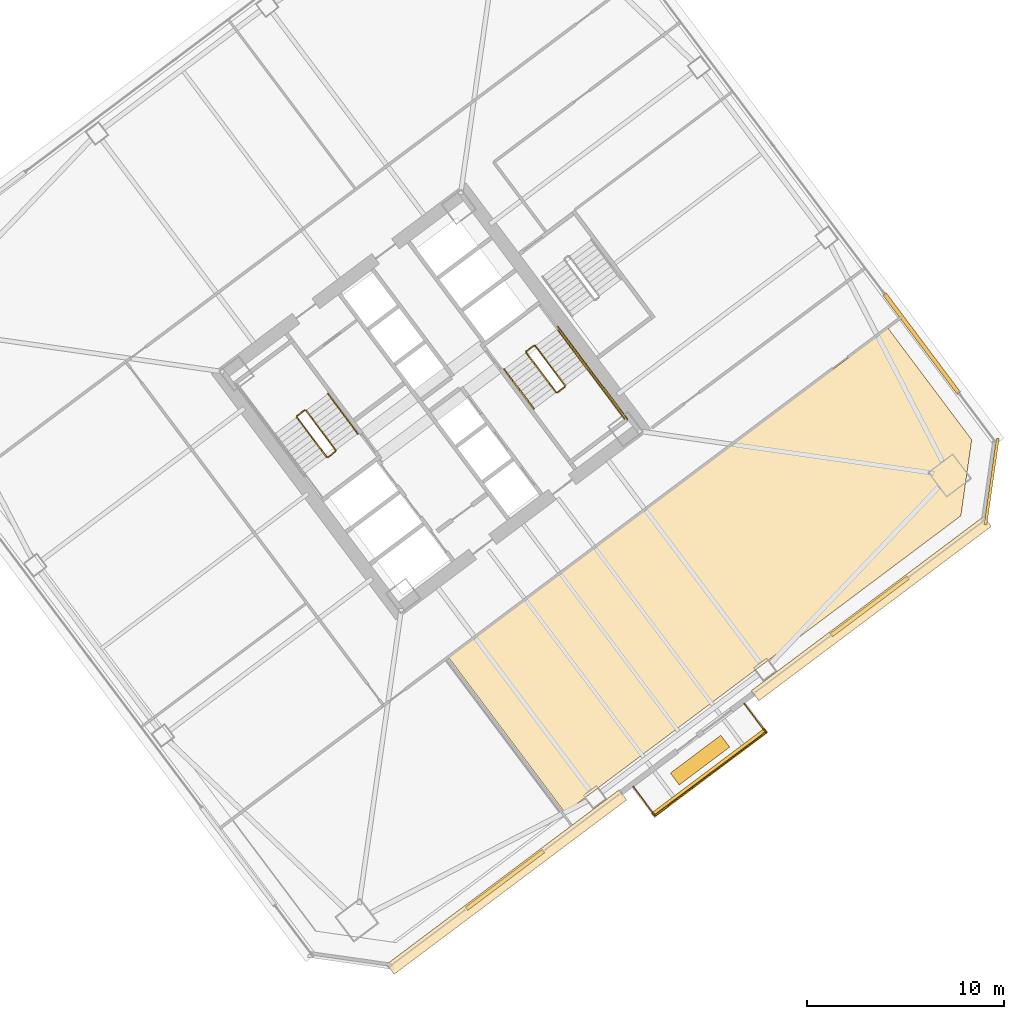
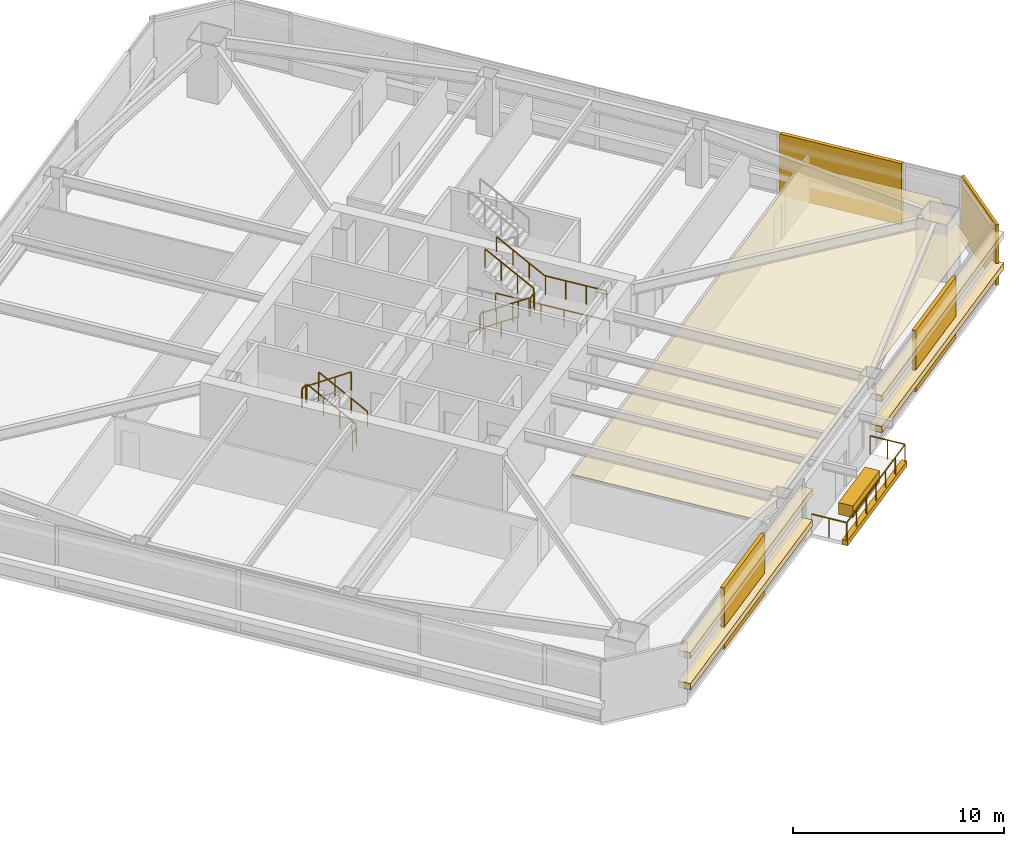
# One storey, part 49 of 51: 16 railings, 11 coverings.
"""IFC4 building model written with IfcOpenShell, lengths in metres."""

from ifc_helpers import new_model, si_unit, direction, frame, origin, origin_2d, place, context, subcontext, project, spatial, polyline, rectangle, outline, extrude, material, layer, layer_set, type_object, element, save


model = new_model("IFC4")

# Units and contexts
model_context = context("Model", 3, precision=1e-05, world=origin(), true_north=direction((0.0, 1.0)))
body_context = subcontext(model_context, "Body", "Model", "MODEL_VIEW")
ifc_project = project(units=[si_unit("LENGTHUNIT", "METRE"), si_unit("AREAUNIT", "SQUARE_METRE"), si_unit("VOLUMEUNIT", "CUBIC_METRE"), si_unit("PLANEANGLEUNIT", "RADIAN"), si_unit("MASSUNIT", "GRAM", prefix="KILO")], contexts=[model_context])

# Site, building, storey
site_placement = place(None, origin())
site = spatial("IfcSite", under=ifc_project, at=site_placement, CompositionType="ELEMENT")
building_placement = place(site_placement, origin())
building = spatial("IfcBuilding", under=site, at=building_placement, Name="Tashvorn Skyway Center", CompositionType="ELEMENT")
storey_placement = place(building_placement, frame((0.0, 0.0, 49.449951171875)))
storey = spatial("IfcBuildingStorey", under=building, at=storey_placement, Name="L12", CompositionType="ELEMENT", Elevation=49.449951171875)

# Coverings
ifc_material_1 = material(Name="Precast concrete C40/50", Category="concrete")
ifc_layer_1 = layer(ifc_material_1, 0.199951171875)
ifc_layer_set_1 = layer_set([ifc_layer_1], Name="Precast concrete C40/50")
covering_type_1 = type_object("IfcCoveringType", Name="COV-BRACE-CLAD", PredefinedType="CLADDING", material=ifc_layer_set_1)
for number, where, z_axis, x_axis, name in (
    (1, (136.260009765625, 21.594970703125, 0.0), (0.0, 0.0, 1.0), (-0.799999996291, -0.600000004945, 0.0), "Tower 2 L12 South Curtain Wall L Mega-Brace Cladding Band 1"),
    (2, (117.756103515625, 7.717041015625, 0.0), (0.0, 0.0, 1.0), (-0.799999996291, -0.600000004945, 0.0), "Tower 2 L12 South Curtain Wall R Mega-Brace Cladding Band 1"),
):
    element("IfcCovering", number, at=place(storey_placement, frame(where, z_axis=z_axis, x_axis=x_axis)), inside=storey, type_object=covering_type_1, Name=name, PredefinedType="CLADDING", context=body_context, shape_type="SweptSolid", body=[
        extrude(rectangle(XDim=4.876708984375, YDim=0.199951171875, at=origin_2d()), origin(), (0.0, 0.0, 1.0), 3.550048828125),
    ])
covering_1_placement = place(storey_placement, frame((138.89599609375, 34.938720703125, 0.0), z_axis=(0.0, 0.0, 1.0), x_axis=(0.600000004945, -0.799999996291, 0.0)))
element("IfcCovering", 3, at=covering_1_placement, inside=storey, type_object=covering_type_1, Name="Tower 2 L12 East Unitised Curtain Wall Mega-Brace Cladding Band 2", PredefinedType="CLADDING", context=body_context, shape_type="SweptSolid", body=[
    extrude(rectangle(XDim=6.29345703125, YDim=0.199951171875, at=origin_2d()), origin(), (0.0, 0.0, 1.0), 3.550048828125),
])
ifc_material_2 = material(Name="Mineral-fibre acoustic ceiling tile on suspended grid")
ifc_layer_2 = layer(ifc_material_2, 0.02001953125)
ifc_layer_set_2 = layer_set([ifc_layer_2], Name="Mineral-fibre acoustic ceiling tile on suspended grid")
covering_type_2 = type_object("IfcCoveringType", Name="COV-CEIL-20", PredefinedType="CEILING", material=ifc_layer_set_2)
covering_2_placement = place(storey_placement, frame((0.0, 0.0, 2.68310546875)))
element("IfcCovering", 4, at=covering_2_placement, inside=storey, type_object=covering_type_2, Name="Tower 2 L12 Security Control Room Acoustic Ceiling", PredefinedType="CEILING", context=body_context, shape_type="SweptSolid", body=[
    extrude(outline(polyline([(120.803955078125, 11.1279296875), (114.89990234375, 19.0), (137.18798828125, 35.716064453125), (141.43603515625, 30.052001953125), (140.884033203125, 26.18798828125), (120.803955078125, 11.1279296875)])), origin(), (0.0, 0.0, 1.0), 0.02001953125),
])
ifc_material_3 = material(Name="Perforated ceramic-coated bronze aluminium solar screen", Category="aluminium")
ifc_layer_3 = layer(ifc_material_3, 0.85009765625)
ifc_layer_set_3 = layer_set([ifc_layer_3], Name="Perforated ceramic-coated bronze aluminium solar screen")
covering_type_3 = type_object("IfcCoveringType", Name="COV-SOLAR-BAND", PredefinedType="CLADDING", material=ifc_layer_set_3)
for number, where, z_axis, x_axis, name in (
    (5, (136.343994140625, 21.48291015625, 0.919921875), (0.0, 0.0, 1.0), (-0.799999996291, -0.600000004945, 0.0), "L12 Perforated Ceramic-Metal Solar Screen Louvre Band South 1"),
    (6, (136.343994140625, 21.48291015625, 2.72021484375), (0.0, 0.0, 1.0), (-0.799999996291, -0.600000004945, 0.0), "L12 Perforated Ceramic-Metal Solar Screen Louvre Band South 2"),
    (7, (117.840087890625, 7.60498046875, 0.919921875), (0.0, 0.0, 1.0), (-0.799999996291, -0.600000004945, 0.0), "L12 Perforated Ceramic-Metal Solar Screen Louvre Band South 1"),
    (8, (117.840087890625, 7.60498046875, 2.72021484375), (0.0, 0.0, 1.0), (-0.799999996291, -0.600000004945, 0.0), "L12 Perforated Ceramic-Metal Solar Screen Louvre Band South 2"),
):
    element("IfcCovering", number, at=place(storey_placement, frame(where, z_axis=z_axis, x_axis=x_axis)), inside=storey, type_object=covering_type_3, Name=name, PredefinedType="CLADDING", context=body_context, shape_type="SweptSolid", body=[
        extrude(rectangle(XDim=14.75, YDim=0.639892578125, at=origin_2d()), origin(), (0.0, 0.0, 1.0), 0.360107421875),
    ])
ifc_layer_4 = layer(ifc_material_1, 0.35009765625)
ifc_layer_set_4 = layer_set([ifc_layer_4], Name="Precast concrete C40/50")
covering_type_4 = type_object("IfcCoveringType", Name="COV-STONE-TRIM", PredefinedType="CLADDING", material=ifc_layer_set_4)
covering_3_placement = place(storey_placement, frame((128.135986328125, 13.152099609375, -0.16015625), z_axis=(0.0, 0.0, 1.0), x_axis=(-0.799999996291, -0.600000004945, 0.0)))
element("IfcCovering", 9, at=covering_3_placement, inside=storey, type_object=covering_type_4, Name="Tower 2 L12 Spiral Terrace Terracotta Fascia", PredefinedType="CLADDING", context=body_context, shape_type="SweptSolid", body=[
    extrude(rectangle(XDim=7.199951171875, YDim=0.280029296875, at=origin_2d()), origin(), (0.0, 0.0, 1.0), 0.280029296875),
])
covering_4_placement = place(storey_placement, frame((127.64990234375, 13.800048828125, 0.0), z_axis=(0.0, 0.0, 1.0), x_axis=(-0.799999996291, -0.600000004945, 0.0)))
element("IfcCovering", 10, at=covering_4_placement, inside=storey, type_object=covering_type_4, Name="Tower 2 L12 Spiral Terrace Planter", PredefinedType="CLADDING", context=body_context, shape_type="SweptSolid", body=[
    extrude(rectangle(XDim=3.199951171875, YDim=0.75, at=origin_2d()), origin(), (0.0, 0.0, 1.0), 0.679931640625),
])
covering_5_placement = place(storey_placement, frame((142.447998046875, 27.93603515625, 0.02001953125), z_axis=(0.0, 0.0, 1.0), x_axis=(0.141421350118, 0.989949494535, 0.0)))
element("IfcCovering", 11, at=covering_5_placement, inside=storey, type_object=covering_type_4, Name="Tower 2 L12 SE Mojave Limestone Corner Quoin", PredefinedType="CLADDING", context=body_context, shape_type="SweptSolid", body=[
    extrude(rectangle(XDim=4.402587890625, YDim=0.139892578125, at=origin_2d()), origin(), (0.0, 0.0, 1.0), 3.510009765625),
])

# Railings
ifc_material_4 = material(Name="Galvanized steel S355", Category="steel")
railing_type_1 = type_object("IfcRailingType", Name="RAIL-GUARD-1120", PredefinedType="GUARDRAIL", material=ifc_material_4)
railing_1_placement = place(storey_placement, frame((124.263916015625, 12.447998046875, 0.0)))
element("IfcRailing", 12, at=railing_1_placement, inside=storey, type_object=railing_type_1, Name="L12 Tower 2 Terrace Guardrail 01", PredefinedType="GUARDRAIL", context=body_context, shape_type="SweptSolid", body=[
    extrude(rectangle(XDim=0.048095703125, YDim=0.048095703125, at=origin_2d()), frame((0.0, 0.0, 1.09619140625), z_axis=(0.6, -0.8, 0.0), x_axis=(0.8, 0.6, 0.0)), (0.0, 0.0, 1.0), 1.820068359375),
    extrude(rectangle(XDim=0.0419921875, YDim=0.0419921875, at=origin_2d()), origin(), (0.0, 0.0, 1.0), 1.072021484375),
    extrude(rectangle(XDim=0.0419921875, YDim=0.0419921875, at=origin_2d()), frame((0.5458984375, -0.72802734375, 0.0)), (0.0, 0.0, 1.0), 1.072021484375),
    extrude(rectangle(XDim=0.0419921875, YDim=0.0419921875, at=origin_2d()), frame((1.092041015625, -1.4560546875, 0.0)), (0.0, 0.0, 1.0), 1.072021484375),
])
railing_2_placement = place(storey_placement, frame((125.35595703125, 10.991943359375, 0.0)))
element("IfcRailing", 13, at=railing_2_placement, inside=storey, type_object=railing_type_1, Name="L12 Tower 2 Terrace Guardrail 02", PredefinedType="GUARDRAIL", context=body_context, shape_type="SweptSolid", body=[
    extrude(rectangle(XDim=0.048095703125, YDim=0.048095703125, at=origin_2d()), frame((0.0, 0.0, 1.09619140625), z_axis=(0.799995838574, 0.600005548528, 0.0), x_axis=(-0.600005548528, 0.799995838574, 0.0)), (0.0, 0.0, 1.0), 7.0400390625),
    extrude(rectangle(XDim=0.0419921875, YDim=0.0419921875, at=origin_2d()), origin(), (0.0, 0.0, 1.0), 1.072021484375),
    extrude(rectangle(XDim=0.0419921875, YDim=0.0419921875, at=origin_2d()), frame((0.938720703125, 0.7041015625, 0.0)), (0.0, 0.0, 1.0), 1.072021484375),
    extrude(rectangle(XDim=0.0419921875, YDim=0.0419921875, at=origin_2d()), frame((1.87744140625, 1.407958984375, 0.0)), (0.0, 0.0, 1.0), 1.072021484375),
    extrude(rectangle(XDim=0.0419921875, YDim=0.0419921875, at=origin_2d()), frame((2.81591796875, 2.112060546875, 0.0)), (0.0, 0.0, 1.0), 1.072021484375),
    extrude(rectangle(XDim=0.0419921875, YDim=0.0419921875, at=origin_2d()), frame((3.754638671875, 2.816162109375, 0.0)), (0.0, 0.0, 1.0), 1.072021484375),
    extrude(rectangle(XDim=0.0419921875, YDim=0.0419921875, at=origin_2d()), frame((4.693359375, 3.52001953125, 0.0)), (0.0, 0.0, 1.0), 1.072021484375),
    extrude(rectangle(XDim=0.0419921875, YDim=0.0419921875, at=origin_2d()), frame((5.632080078125, 4.22412109375, 0.0)), (0.0, 0.0, 1.0), 1.072021484375),
])
railing_3_placement = place(storey_placement, frame((130.988037109375, 15.216064453125, 0.0)))
element("IfcRailing", 14, at=railing_3_placement, inside=storey, type_object=railing_type_1, Name="L12 Tower 2 Terrace Guardrail 03", PredefinedType="GUARDRAIL", context=body_context, shape_type="SweptSolid", body=[
    extrude(rectangle(XDim=0.048095703125, YDim=0.048095703125, at=origin_2d()), frame((0.0, 0.0, 1.09619140625), z_axis=(-0.6, 0.8, 0.0), x_axis=(-0.8, -0.6, 0.0)), (0.0, 0.0, 1.0), 1.820068359375),
    extrude(rectangle(XDim=0.0419921875, YDim=0.0419921875, at=origin_2d()), origin(), (0.0, 0.0, 1.0), 1.072021484375),
    extrude(rectangle(XDim=0.0419921875, YDim=0.0419921875, at=origin_2d()), frame((-0.5458984375, 0.72802734375, 0.0)), (0.0, 0.0, 1.0), 1.072021484375),
    extrude(rectangle(XDim=0.0419921875, YDim=0.0419921875, at=origin_2d()), frame((-1.092041015625, 1.4560546875, 0.0)), (0.0, 0.0, 1.0), 1.072021484375),
])
ifc_material_5 = material(Name="Brushed stainless steel 316", Category="steel")
railing_type_2 = type_object("IfcRailingType", Name="RAIL-HAND-920", PredefinedType="HANDRAIL", material=ifc_material_5)
railing_4_placement = place(storey_placement, frame((110.2880859375, 30.365966796875, 0.177490234375)))
element("IfcRailing", 15, at=railing_4_placement, inside=storey, type_object=railing_type_2, Name="L12 ST-T2-1 stair handrail 1", PredefinedType="HANDRAIL", context=body_context, shape_type="SweptSolid", body=[
    extrude(rectangle(XDim=0.048095703125, YDim=0.048095703125, at=origin_2d()), frame((0.0, 0.0, 0.8759765625), z_axis=(-0.506779409603, 0.675651334276, 0.53541563714), x_axis=(-0.799976749893, -0.600030998891, 0.0)), (0.0, 0.0, 1.0), 2.98388671875),
    extrude(rectangle(XDim=0.0419921875, YDim=0.0419921875, at=origin_2d()), origin(), (0.0, 0.0, 1.0), 0.851806640625),
    extrude(rectangle(XDim=0.0419921875, YDim=0.0419921875, at=origin_2d()), frame((-0.504150390625, 0.672119140625, 0.532470703125)), (0.0, 0.0, 1.0), 0.851806640625),
    extrude(rectangle(XDim=0.0419921875, YDim=0.0419921875, at=origin_2d()), frame((-1.008056640625, 1.343994140625, 1.065185546875)), (0.0, 0.0, 1.0), 0.851806640625),
    extrude(rectangle(XDim=0.0419921875, YDim=0.0419921875, at=origin_2d()), frame((-1.51220703125, 2.01611328125, 1.59765625)), (0.0, 0.0, 1.0), 0.851806640625),
])
railing_5_placement = place(storey_placement, frame((117.7119140625, 33.634033203125, 0.177490234375)))
element("IfcRailing", 16, at=railing_5_placement, inside=storey, type_object=railing_type_2, Name="L12 ST-T2-2 stair handrail 1", PredefinedType="HANDRAIL", context=body_context, shape_type="SweptSolid", body=[
    extrude(rectangle(XDim=0.048095703125, YDim=0.048095703125, at=origin_2d()), frame((0.0, 0.0, 0.8759765625), z_axis=(0.506779409603, -0.675651334276, 0.53541563714), x_axis=(0.799976749893, 0.600030998891, 0.0)), (0.0, 0.0, 1.0), 2.98388671875),
    extrude(rectangle(XDim=0.0419921875, YDim=0.0419921875, at=origin_2d()), origin(), (0.0, 0.0, 1.0), 0.851806640625),
    extrude(rectangle(XDim=0.0419921875, YDim=0.0419921875, at=origin_2d()), frame((0.504150390625, -0.672119140625, 0.532470703125)), (0.0, 0.0, 1.0), 0.851806640625),
    extrude(rectangle(XDim=0.0419921875, YDim=0.0419921875, at=origin_2d()), frame((1.008056640625, -1.343994140625, 1.065185546875)), (0.0, 0.0, 1.0), 0.851806640625),
    extrude(rectangle(XDim=0.0419921875, YDim=0.0419921875, at=origin_2d()), frame((1.51220703125, -2.01611328125, 1.59765625)), (0.0, 0.0, 1.0), 0.851806640625),
])
railing_6_placement = place(storey_placement, frame((121.927978515625, 33.64599609375, 1.95263671875)))
element("IfcRailing", 17, at=railing_6_placement, inside=storey, type_object=railing_type_2, Name="L12 ST-T2-2 stair handrail 2", PredefinedType="HANDRAIL", context=body_context, shape_type="SweptSolid", body=[
    extrude(rectangle(XDim=0.048095703125, YDim=0.048095703125, at=origin_2d()), frame((0.0, 0.0, 0.8759765625), z_axis=(-0.506740800098, 0.675708949977, 0.535379469569), x_axis=(-0.800023250257, -0.599968998406, 0.0)), (0.0, 0.0, 1.0), 2.983642578125),
    extrude(rectangle(XDim=0.0419921875, YDim=0.0419921875, at=origin_2d()), origin(), (0.0, 0.0, 1.0), 0.851806640625),
    extrude(rectangle(XDim=0.0419921875, YDim=0.0419921875, at=origin_2d()), frame((-0.50390625, 0.672119140625, 0.532470703125)), (0.0, 0.0, 1.0), 0.851806640625),
    extrude(rectangle(XDim=0.0419921875, YDim=0.0419921875, at=origin_2d()), frame((-1.008056640625, 1.343994140625, 1.06494140625)), (0.0, 0.0, 1.0), 0.851806640625),
    extrude(rectangle(XDim=0.0419921875, YDim=0.0419921875, at=origin_2d()), frame((-1.511962890625, 2.01611328125, 1.597412109375)), (0.0, 0.0, 1.0), 0.851806640625),
])
ifc_material_6 = material(Name="Painted galvanized steel S355", Category="steel")
railing_type_3 = type_object("IfcRailingType", Name="RAIL-STGUARD-1100", PredefinedType="GUARDRAIL", material=ifc_material_6)
railing_7_placement = place(storey_placement, frame((109.16796875, 29.52587890625, 0.177490234375)))
element("IfcRailing", 18, at=railing_7_placement, inside=storey, type_object=railing_type_3, Name="L12 ST-T2-1 stair guard 1", PredefinedType="GUARDRAIL", context=body_context, shape_type="SweptSolid", body=[
    extrude(rectangle(XDim=0.048095703125, YDim=0.048095703125, at=origin_2d()), frame((0.0, 0.0, 1.076171875), z_axis=(-0.506718600913, 0.675679348675, 0.535437836974), x_axis=(-0.800023250257, -0.599968998406, 0.0)), (0.0, 0.0, 1.0), 2.98388671875),
    extrude(rectangle(XDim=0.0419921875, YDim=0.0419921875, at=origin_2d()), origin(), (0.0, 0.0, 1.0), 1.052001953125),
    extrude(rectangle(XDim=0.0419921875, YDim=0.0419921875, at=origin_2d()), frame((-0.50390625, 0.672119140625, 0.532470703125)), (0.0, 0.0, 1.0), 1.052001953125),
    extrude(rectangle(XDim=0.0419921875, YDim=0.0419921875, at=origin_2d()), frame((-1.008056640625, 1.343994140625, 1.065185546875)), (0.0, 0.0, 1.0), 1.052001953125),
    extrude(rectangle(XDim=0.0419921875, YDim=0.0419921875, at=origin_2d()), frame((-1.511962890625, 2.01611328125, 1.59765625)), (0.0, 0.0, 1.0), 1.052001953125),
])
railing_8_placement = place(storey_placement, frame((107.5859375, 31.552001953125, 1.775146484375)))
element("IfcRailing", 19, at=railing_8_placement, inside=storey, type_object=railing_type_3, Name="L12 ST-T2-1 stair guard 2", PredefinedType="GUARDRAIL", context=body_context, shape_type="SweptSolid", body=[
    extrude(rectangle(XDim=0.048095703125, YDim=0.048095703125, at=origin_2d()), frame((0.0, 0.0, 1.076171875), z_axis=(-0.799938970639, -0.600081363861, 0.0), x_axis=(0.600081363861, -0.799938970639, 0.0)), (0.0, 0.0, 1.0), 0.47998046875),
    extrude(rectangle(XDim=0.0419921875, YDim=0.0419921875, at=origin_2d()), origin(), (0.0, 0.0, 1.0), 1.052001953125),
    extrude(rectangle(XDim=0.0419921875, YDim=0.0419921875, at=origin_2d()), frame((-0.384033203125, -0.2880859375, 0.0)), (0.0, 0.0, 1.0), 1.052001953125),
])
railing_9_placement = place(storey_placement, frame((107.19189453125, 31.194091796875, 1.95263671875)))
element("IfcRailing", 20, at=railing_9_placement, inside=storey, type_object=railing_type_3, Name="L12 ST-T2-1 stair guard 4", PredefinedType="GUARDRAIL", context=body_context, shape_type="SweptSolid", body=[
    extrude(rectangle(XDim=0.048095703125, YDim=0.048095703125, at=origin_2d()), frame((0.0, 0.0, 1.076171875), z_axis=(0.506801609611, -0.675680931896, 0.535357270211), x_axis=(0.799976749893, 0.600030998891, 0.0)), (0.0, 0.0, 1.0), 2.98388671875),
    extrude(rectangle(XDim=0.0419921875, YDim=0.0419921875, at=origin_2d()), origin(), (0.0, 0.0, 1.0), 1.052001953125),
    extrude(rectangle(XDim=0.0419921875, YDim=0.0419921875, at=origin_2d()), frame((0.504150390625, -0.672119140625, 0.532470703125)), (0.0, 0.0, 1.0), 1.052001953125),
    extrude(rectangle(XDim=0.0419921875, YDim=0.0419921875, at=origin_2d()), frame((1.008056640625, -1.343994140625, 1.06494140625)), (0.0, 0.0, 1.0), 1.052001953125),
    extrude(rectangle(XDim=0.0419921875, YDim=0.0419921875, at=origin_2d()), frame((1.51220703125, -2.01611328125, 1.597412109375)), (0.0, 0.0, 1.0), 1.052001953125),
])
railing_10_placement = place(storey_placement, frame((109.157958984375, 29.4560546875, 0.0)))
element("IfcRailing", 21, at=railing_10_placement, inside=storey, type_object=railing_type_3, Name="L12 ST-T2-1 stair guard 5", PredefinedType="GUARDRAIL", context=body_context, shape_type="SweptSolid", body=[
    extrude(rectangle(XDim=0.048095703125, YDim=0.048095703125, at=origin_2d()), frame((0.0, 0.0, 1.076171875), z_axis=(-0.799938970639, -0.600081363861, 0.0), x_axis=(0.600081363861, -0.799938970639, 0.0)), (0.0, 0.0, 1.0), 0.47998046875),
    extrude(rectangle(XDim=0.0419921875, YDim=0.0419921875, at=origin_2d()), origin(), (0.0, 0.0, 1.0), 1.052001953125),
    extrude(rectangle(XDim=0.0419921875, YDim=0.0419921875, at=origin_2d()), frame((-0.384033203125, -0.2880859375, 0.0)), (0.0, 0.0, 1.0), 1.052001953125),
])
railing_11_placement = place(storey_placement, frame((118.83203125, 34.47412109375, 0.177490234375)))
element("IfcRailing", 22, at=railing_11_placement, inside=storey, type_object=railing_type_3, Name="L12 ST-T2-2 stair guard 1", PredefinedType="GUARDRAIL", context=body_context, shape_type="SweptSolid", body=[
    extrude(rectangle(XDim=0.048095703125, YDim=0.048095703125, at=origin_2d()), frame((0.0, 0.0, 1.076171875), z_axis=(0.506718600913, -0.675679348675, 0.535437836974), x_axis=(0.800023250257, 0.599968998406, 0.0)), (0.0, 0.0, 1.0), 2.98388671875),
    extrude(rectangle(XDim=0.0419921875, YDim=0.0419921875, at=origin_2d()), origin(), (0.0, 0.0, 1.0), 1.052001953125),
    extrude(rectangle(XDim=0.0419921875, YDim=0.0419921875, at=origin_2d()), frame((0.50390625, -0.672119140625, 0.532470703125)), (0.0, 0.0, 1.0), 1.052001953125),
    extrude(rectangle(XDim=0.0419921875, YDim=0.0419921875, at=origin_2d()), frame((1.008056640625, -1.343994140625, 1.065185546875)), (0.0, 0.0, 1.0), 1.052001953125),
    extrude(rectangle(XDim=0.0419921875, YDim=0.0419921875, at=origin_2d()), frame((1.511962890625, -2.01611328125, 1.59765625)), (0.0, 0.0, 1.0), 1.052001953125),
])
railing_12_placement = place(storey_placement, frame((120.4140625, 32.447998046875, 1.775146484375)))
element("IfcRailing", 23, at=railing_12_placement, inside=storey, type_object=railing_type_3, Name="L12 ST-T2-2 stair guard 2", PredefinedType="GUARDRAIL", context=body_context, shape_type="SweptSolid", body=[
    extrude(rectangle(XDim=0.048095703125, YDim=0.048095703125, at=origin_2d()), frame((0.0, 0.0, 1.076171875), z_axis=(0.799938970639, 0.600081363861, 0.0), x_axis=(-0.600081363861, 0.799938970639, 0.0)), (0.0, 0.0, 1.0), 0.47998046875),
    extrude(rectangle(XDim=0.0419921875, YDim=0.0419921875, at=origin_2d()), origin(), (0.0, 0.0, 1.0), 1.052001953125),
    extrude(rectangle(XDim=0.0419921875, YDim=0.0419921875, at=origin_2d()), frame((0.384033203125, 0.2880859375, 0.0)), (0.0, 0.0, 1.0), 1.052001953125),
])
railing_13_placement = place(storey_placement, frame((121.927978515625, 33.64599609375, 1.775146484375)))
element("IfcRailing", 24, at=railing_13_placement, inside=storey, type_object=railing_type_3, Name="L12 ST-T2-2 stair guard 3", PredefinedType="GUARDRAIL", context=body_context, shape_type="SweptSolid", body=[
    extrude(rectangle(XDim=0.048095703125, YDim=0.048095703125, at=origin_2d()), frame((0.0, 0.0, 1.076171875), z_axis=(0.599987638607, -0.800009270896, 0.0), x_axis=(0.800009270896, 0.599987638607, 0.0)), (0.0, 0.0, 1.0), 3.16015625),
    extrude(rectangle(XDim=0.0419921875, YDim=0.0419921875, at=origin_2d()), origin(), (0.0, 0.0, 1.0), 1.052001953125),
    extrude(rectangle(XDim=0.0419921875, YDim=0.0419921875, at=origin_2d()), frame((0.632080078125, -0.8427734375, 0.0)), (0.0, 0.0, 1.0), 1.052001953125),
    extrude(rectangle(XDim=0.0419921875, YDim=0.0419921875, at=origin_2d()), frame((1.263916015625, -1.685302734375, 0.0)), (0.0, 0.0, 1.0), 1.052001953125),
    extrude(rectangle(XDim=0.0419921875, YDim=0.0419921875, at=origin_2d()), frame((1.89599609375, -2.528076171875, 0.0)), (0.0, 0.0, 1.0), 1.052001953125),
])
railing_14_placement = place(storey_placement, frame((120.80810546875, 32.805908203125, 1.95263671875)))
element("IfcRailing", 25, at=railing_14_placement, inside=storey, type_object=railing_type_3, Name="L12 ST-T2-2 stair guard 4", PredefinedType="GUARDRAIL", context=body_context, shape_type="SweptSolid", body=[
    extrude(rectangle(XDim=0.048095703125, YDim=0.048095703125, at=origin_2d()), frame((0.0, 0.0, 1.076171875), z_axis=(-0.506801609611, 0.675680931896, 0.535357270211), x_axis=(-0.799976749893, -0.600030998891, 0.0)), (0.0, 0.0, 1.0), 2.98388671875),
    extrude(rectangle(XDim=0.0419921875, YDim=0.0419921875, at=origin_2d()), origin(), (0.0, 0.0, 1.0), 1.052001953125),
    extrude(rectangle(XDim=0.0419921875, YDim=0.0419921875, at=origin_2d()), frame((-0.504150390625, 0.672119140625, 0.532470703125)), (0.0, 0.0, 1.0), 1.052001953125),
    extrude(rectangle(XDim=0.0419921875, YDim=0.0419921875, at=origin_2d()), frame((-1.008056640625, 1.343994140625, 1.06494140625)), (0.0, 0.0, 1.0), 1.052001953125),
    extrude(rectangle(XDim=0.0419921875, YDim=0.0419921875, at=origin_2d()), frame((-1.51220703125, 2.01611328125, 1.597412109375)), (0.0, 0.0, 1.0), 1.052001953125),
])
railing_15_placement = place(storey_placement, frame((118.842041015625, 34.5439453125, 0.0)))
element("IfcRailing", 26, at=railing_15_placement, inside=storey, type_object=railing_type_3, Name="L12 ST-T2-2 stair guard 5", PredefinedType="GUARDRAIL", context=body_context, shape_type="SweptSolid", body=[
    extrude(rectangle(XDim=0.048095703125, YDim=0.048095703125, at=origin_2d()), frame((0.0, 0.0, 1.076171875), z_axis=(0.799938970639, 0.600081363861, 0.0), x_axis=(-0.600081363861, 0.799938970639, 0.0)), (0.0, 0.0, 1.0), 0.47998046875),
    extrude(rectangle(XDim=0.0419921875, YDim=0.0419921875, at=origin_2d()), origin(), (0.0, 0.0, 1.0), 1.052001953125),
    extrude(rectangle(XDim=0.0419921875, YDim=0.0419921875, at=origin_2d()), frame((0.384033203125, 0.2880859375, 0.0)), (0.0, 0.0, 1.0), 1.052001953125),
])
railing_16_placement = place(storey_placement, frame((120.43603515625, 35.802001953125, 0.0)))
element("IfcRailing", 27, at=railing_16_placement, inside=storey, type_object=railing_type_3, Name="L12 ST-T2-2 stair guard 7", PredefinedType="GUARDRAIL", context=body_context, shape_type="SweptSolid", body=[
    extrude(rectangle(XDim=0.048095703125, YDim=0.048095703125, at=origin_2d()), frame((0.0, 0.0, 1.076171875), z_axis=(0.6, -0.8, 0.0), x_axis=(0.8, 0.6, 0.0)), (0.0, 0.0, 1.0), 5.880126953125),
    extrude(rectangle(XDim=0.0419921875, YDim=0.0419921875, at=origin_2d()), origin(), (0.0, 0.0, 1.0), 1.052001953125),
    extrude(rectangle(XDim=0.0419921875, YDim=0.0419921875, at=origin_2d()), frame((0.70556640625, -0.94091796875, 0.0)), (0.0, 0.0, 1.0), 1.052001953125),
    extrude(rectangle(XDim=0.0419921875, YDim=0.0419921875, at=origin_2d()), frame((1.4111328125, -1.881591796875, 0.0)), (0.0, 0.0, 1.0), 1.052001953125),
    extrude(rectangle(XDim=0.0419921875, YDim=0.0419921875, at=origin_2d()), frame((2.116943359375, -2.822509765625, 0.0)), (0.0, 0.0, 1.0), 1.052001953125),
    extrude(rectangle(XDim=0.0419921875, YDim=0.0419921875, at=origin_2d()), frame((2.822509765625, -3.76318359375, 0.0)), (0.0, 0.0, 1.0), 1.052001953125),
    extrude(rectangle(XDim=0.0419921875, YDim=0.0419921875, at=origin_2d()), frame((3.528076171875, -4.7041015625, 0.0)), (0.0, 0.0, 1.0), 1.052001953125),
])

save(model, "model.ifc")
